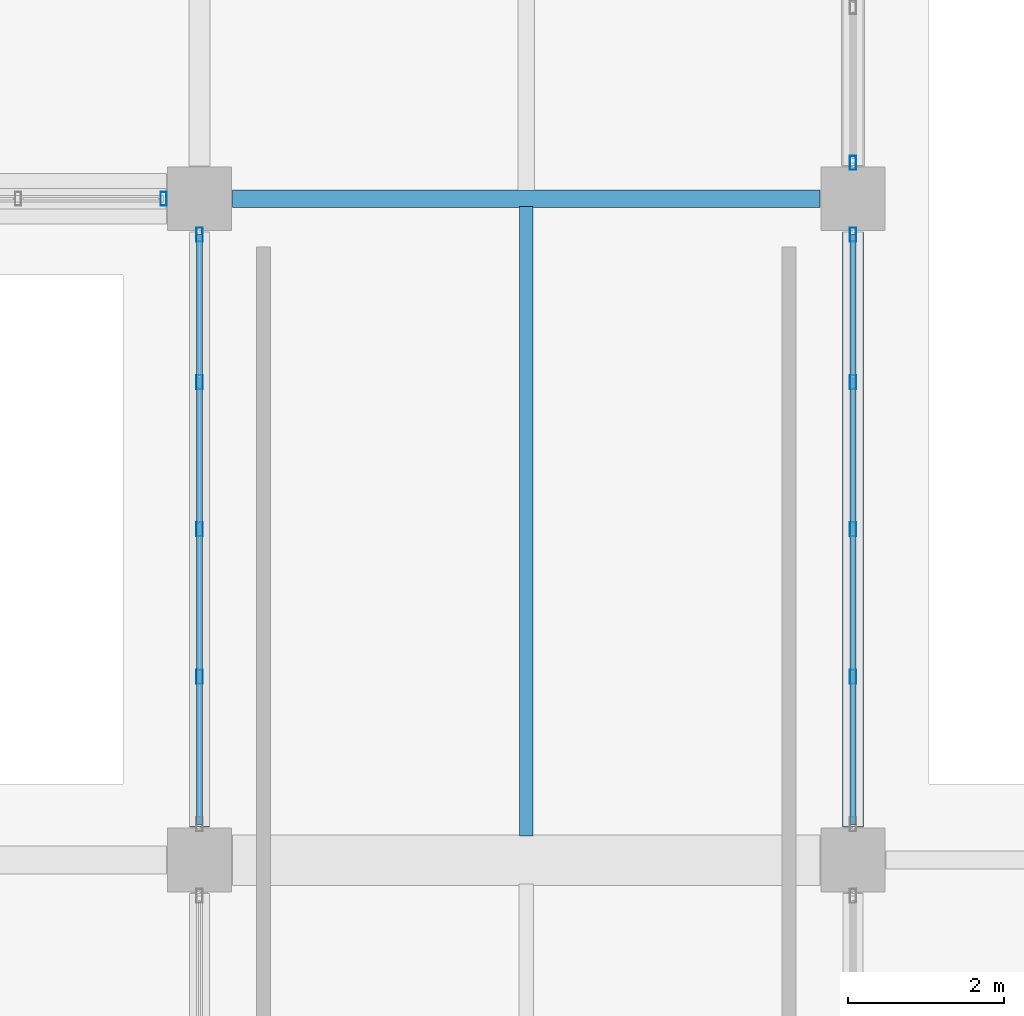
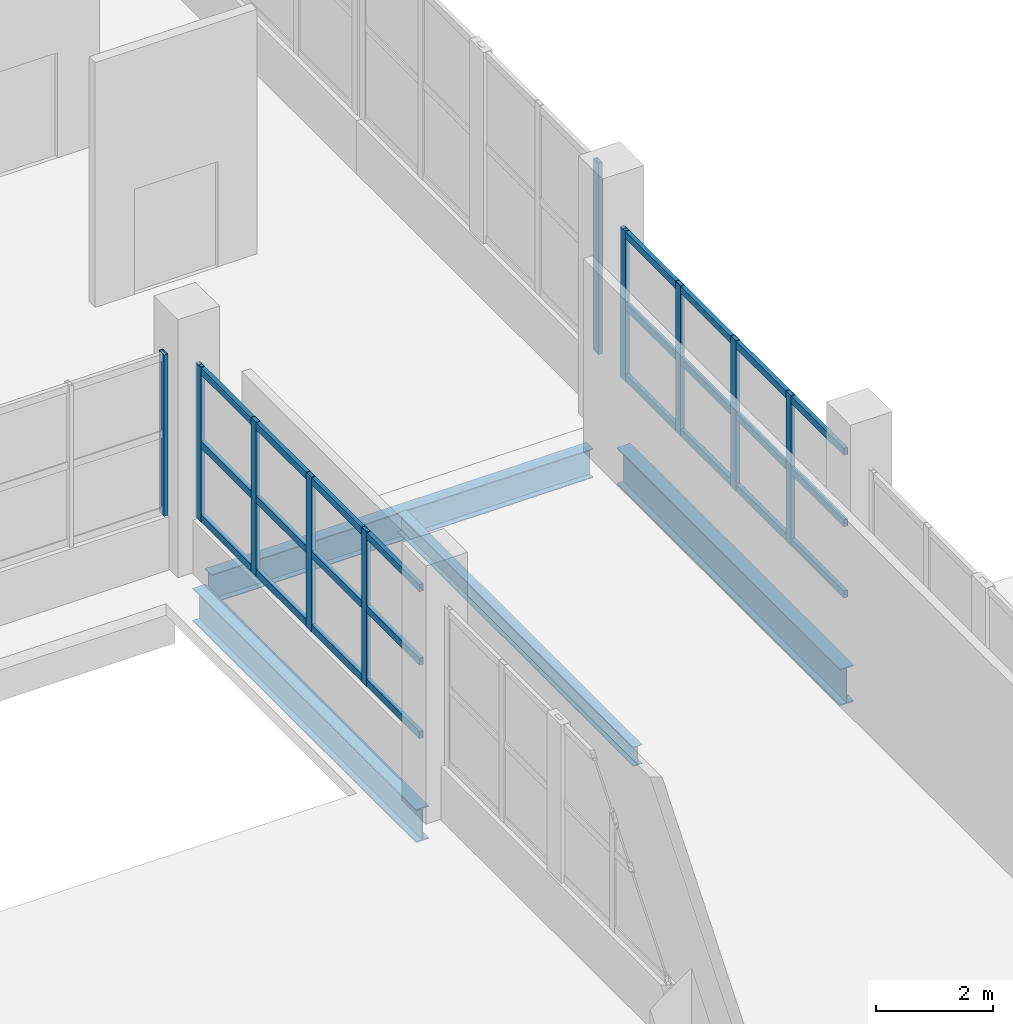
# One storey, part 40 of 107: 16 members, 4 beams, 4 elements without a shape of their own.
"""IFC4 building model written with IfcOpenShell, lengths in metres."""

from ifc_helpers import new_model, si_unit, direction, frame, origin, origin_2d, place, context, subcontext, project, spatial, hollow_rectangle, i_section, extrude, material, material_profile, profile_set, type_object, element, aggregate, save


model = new_model("IFC4")

# Units and contexts
model_context = context("Model", 3, precision=1e-05, world=origin(), true_north=direction((0.0, 1.0)))
body_context = subcontext(model_context, "Body", "Model", "MODEL_VIEW")
ifc_project = project(units=[si_unit("LENGTHUNIT", "METRE"), si_unit("AREAUNIT", "SQUARE_METRE"), si_unit("VOLUMEUNIT", "CUBIC_METRE"), si_unit("PLANEANGLEUNIT", "RADIAN"), si_unit("MASSUNIT", "GRAM", prefix="KILO")], contexts=[model_context])

# Site, building, storey
site_placement = place(None, origin())
site = spatial("IfcSite", under=ifc_project, at=site_placement, CompositionType="ELEMENT")
building_placement = place(site_placement, origin())
building = spatial("IfcBuilding", under=site, at=building_placement, Name="Solvento Point Concert Hall", CompositionType="ELEMENT")
storey_placement = place(building_placement, origin())
storey = spatial("IfcBuildingStorey", under=building, at=storey_placement, Name="L00", CompositionType="ELEMENT", Elevation=0.0)

# Beams
ifc_material_1 = material(Name="Structural Steel ASTM A992 Grade 50", Category="steel")
ifc_material_profile_1 = material_profile(ifc_material_1, i_section(OverallWidth=0.228515625, OverallDepth=0.60791015625, WebThickness=0.01123046875, FlangeThickness=0.017333984375, at=origin_2d()), Name="W24X76")
ifc_profile_set_1 = profile_set([ifc_material_profile_1], Name="Structural Steel ASTM A992 Grade 50")
beam_type_1 = type_object("IfcBeamType", Name="Beam_W24X76", PredefinedType="BEAM", material=ifc_profile_set_1)
beam_1_placement = place(storey_placement, frame((66.424072265625, 119.0, -0.718017578125), z_axis=(1.0, 0.0, 0.0), x_axis=(0.0, 1.0, 0.0)))
element("IfcBeam", 1, at=beam_1_placement, inside=storey, type_object=beam_type_1, Name="Primary girder B-42 L00", PredefinedType="BEAM", context=body_context, shape_type="SweptSolid", body=[
    extrude(i_section(OverallWidth=0.228515625, OverallDepth=0.60791015625, WebThickness=0.01123046875, FlangeThickness=0.017333984375, at=origin_2d()), origin(), (0.0, 0.0, 1.0), 7.552001953125),
])
ifc_material_2 = material(Name="Structural Steel ASTM A992 Grade 50", Category="steel")
ifc_material_profile_2 = material_profile(ifc_material_2, i_section(OverallWidth=0.256103515625, OverallDepth=0.693115234375, WebThickness=0.014404296875, FlangeThickness=0.023681640625, at=origin_2d()), Name="W27X114")
ifc_profile_set_2 = profile_set([ifc_material_profile_2], Name="Structural Steel ASTM A992 Grade 50")
beam_type_2 = type_object("IfcBeamType", Name="Girder_W27X114", PredefinedType="USERDEFINED", material=ifc_profile_set_2)
beam_2_placement = place(storey_placement, frame((66.0, 110.924072265625, -0.650390625), z_axis=(0.0, 1.0, 0.0), x_axis=(-1.0, 0.0, 0.0)))
element("IfcBeam", 2, at=beam_2_placement, inside=storey, type_object=beam_type_2, Name="Primary girder B-23 L00", ObjectType="GIRDER", PredefinedType="USERDEFINED", context=body_context, shape_type="SweptSolid", body=[
    extrude(i_section(OverallWidth=0.256103515625, OverallDepth=0.693115234375, WebThickness=0.014404296875, FlangeThickness=0.023681640625, at=origin_2d()), origin(), (0.0, 0.0, 1.0), 7.65185546875),
])
ifc_material_3 = material(Name="Structural Steel ASTM A992 Grade 50", Category="steel")
ifc_material_profile_3 = material_profile(ifc_material_3, i_section(OverallWidth=0.26806640625, OverallDepth=0.77001953125, WebThickness=0.015625, FlangeThickness=0.025390625, at=origin_2d()), Name="W30X132")
ifc_profile_set_3 = profile_set([ifc_material_profile_3], Name="Structural Steel ASTM A992 Grade 50")
beam_type_3 = type_object("IfcBeamType", Name="Girder_W30X132", PredefinedType="USERDEFINED", material=ifc_profile_set_3)
beam_3_placement = place(storey_placement, frame((74.39990234375, 110.924072265625, -0.68896484375), z_axis=(0.0, 1.0, 0.0), x_axis=(-1.0, 0.0, 0.0)))
element("IfcBeam", 3, at=beam_3_placement, inside=storey, type_object=beam_type_3, Name="Primary girder B-68 L00", ObjectType="GIRDER", PredefinedType="USERDEFINED", context=body_context, shape_type="SweptSolid", body=[
    extrude(i_section(OverallWidth=0.26806640625, OverallDepth=0.77001953125, WebThickness=0.015625, FlangeThickness=0.025390625, at=origin_2d()), origin(), (0.0, 0.0, 1.0), 7.65185546875),
])
ifc_material_4 = material(Name="Structural Steel ASTM A992 Grade 50", Category="steel")
ifc_material_profile_4 = material_profile(ifc_material_4, i_section(OverallWidth=0.177490234375, OverallDepth=0.403076171875, WebThickness=0.007568359375, FlangeThickness=0.010986328125, at=origin_2d()), Name="W16X36")
ifc_profile_set_4 = profile_set([ifc_material_profile_4], Name="Structural Steel ASTM A992 Grade 50")
beam_type_4 = type_object("IfcBeamType", Name="Joist_W16X36", PredefinedType="JOIST", material=ifc_profile_set_4)
beam_4_placement = place(storey_placement, frame((70.199951171875, 110.81005859375, -0.615478515625), z_axis=(0.0, 1.0, 0.0), x_axis=(-1.0, 0.0, 0.0)))
element("IfcBeam", 4, at=beam_4_placement, inside=storey, type_object=beam_type_4, Name="Secondary floor joist B-30 L00", PredefinedType="JOIST", context=body_context, shape_type="SweptSolid", body=[
    extrude(i_section(OverallWidth=0.177490234375, OverallDepth=0.403076171875, WebThickness=0.007568359375, FlangeThickness=0.010986328125, at=origin_2d()), origin(), (0.0, 0.0, 1.0), 8.0908203125),
])

# Curtain wall, members
ifc_material_5 = material(Name="Anodized Bronze Aluminium", Category="aluminium")
curtain_wall_type = type_object("IfcCurtainWallType", Name="CurtainWall_CourtPilotis", PredefinedType="USERDEFINED", material=ifc_material_5)
curtain_wall_1_placement = place(storey_placement, origin())
curtain_wall_1 = element("IfcCurtainWall", 5, at=curtain_wall_1_placement, inside=storey, type_object=curtain_wall_type, Name="Unitised curtain wall CW-96 UCW-L00-021", ObjectType="UNITISED CURTAIN WALL", PredefinedType="USERDEFINED")
ifc_material_6 = material(Name="Anodized Bronze Aluminium", Category="aluminium")
ifc_material_profile_5 = material_profile(ifc_material_6, hollow_rectangle(XDim=0.080078125, YDim=0.179931640625, WallThickness=0.00390625, at=origin_2d()), Name="CW-MUL-80X180")
ifc_profile_set_5 = profile_set([ifc_material_profile_5], Name="Anodized Bronze Aluminium")
member_type_1 = type_object("IfcMemberType", Name="Mullion_80x180", PredefinedType="MULLION", material=ifc_profile_set_5)
member_1_placement = place(storey_placement, frame((66.0, 112.85498046875, 1.1201171875), z_axis=(0.0, 0.0, 1.0), x_axis=(1.0, 0.0, 0.0)))
member_1 = element("IfcMember", 6, at=member_1_placement, type_object=member_type_1, Name="Curtain wall mullion ML-01", PredefinedType="MULLION", context=body_context, shape_type="SweptSolid", body=[
    extrude(hollow_rectangle(XDim=0.080078125, YDim=0.179931640625, WallThickness=0.00390625, at=origin_2d()), origin(), (0.0, 0.0, 1.0), 3.23388671875),
])
member_2_placement = place(storey_placement, frame((66.0, 114.75, 1.1201171875), z_axis=(0.0, 0.0, 1.0), x_axis=(1.0, 0.0, 0.0)))
member_2 = element("IfcMember", 7, at=member_2_placement, type_object=member_type_1, Name="Curtain wall mullion ML-01", PredefinedType="MULLION", context=body_context, shape_type="SweptSolid", body=[
    extrude(hollow_rectangle(XDim=0.080078125, YDim=0.179931640625, WallThickness=0.00390625, at=origin_2d()), origin(), (0.0, 0.0, 1.0), 3.23388671875),
])
member_3_placement = place(storey_placement, frame((66.0, 116.64501953125, 1.1201171875), z_axis=(0.0, 0.0, 1.0), x_axis=(1.0, 0.0, 0.0)))
member_3 = element("IfcMember", 8, at=member_3_placement, type_object=member_type_1, Name="Curtain wall mullion ML-01", PredefinedType="MULLION", context=body_context, shape_type="SweptSolid", body=[
    extrude(hollow_rectangle(XDim=0.080078125, YDim=0.179931640625, WallThickness=0.00390625, at=origin_2d()), origin(), (0.0, 0.0, 1.0), 3.23388671875),
])
member_4_placement = place(storey_placement, frame((66.0, 118.5400390625, 1.1201171875), z_axis=(0.0, 0.0, 1.0), x_axis=(1.0, 0.0, 0.0)))
member_4 = element("IfcMember", 9, at=member_4_placement, type_object=member_type_1, Name="Curtain wall mullion ML-01", PredefinedType="MULLION", context=body_context, shape_type="SweptSolid", body=[
    extrude(hollow_rectangle(XDim=0.080078125, YDim=0.179931640625, WallThickness=0.00390625, at=origin_2d()), origin(), (0.0, 0.0, 1.0), 3.23388671875),
])

# Curtain wall, member
curtain_wall_2_placement = place(storey_placement, origin())
curtain_wall_2 = element("IfcCurtainWall", 10, at=curtain_wall_2_placement, inside=storey, type_object=curtain_wall_type, Name="Unitised curtain wall CW-96 UCW-L00-026", ObjectType="UNITISED CURTAIN WALL", PredefinedType="USERDEFINED")
member_5_placement = place(storey_placement, frame((65.5400390625, 119.0, 1.1201171875), z_axis=(0.0, 0.0, 1.0), x_axis=(1.0, 0.0, 0.0)))
member_5 = element("IfcMember", 11, at=member_5_placement, type_object=member_type_1, Name="Curtain wall mullion ML-01", PredefinedType="MULLION", context=body_context, shape_type="SweptSolid", body=[
    extrude(hollow_rectangle(XDim=0.080078125, YDim=0.179931640625, WallThickness=0.00390625, at=origin_2d()), origin(), (0.0, 0.0, 1.0), 3.3759765625),
])
aggregate(curtain_wall_2, [member_5])

curtain_wall_3_placement = place(storey_placement, origin())
curtain_wall_3 = element("IfcCurtainWall", 12, at=curtain_wall_3_placement, inside=storey, type_object=curtain_wall_type, Name="Unitised curtain wall CW-96 UCW-L00-032", ObjectType="UNITISED CURTAIN WALL", PredefinedType="USERDEFINED")
member_6_placement = place(storey_placement, frame((74.39990234375, 119.4599609375, 1.1201171875), z_axis=(0.0, 0.0, 1.0), x_axis=(1.0, 0.0, 0.0)))
member_6 = element("IfcMember", 13, at=member_6_placement, type_object=member_type_1, Name="Curtain wall mullion ML-01", PredefinedType="MULLION", context=body_context, shape_type="SweptSolid", body=[
    extrude(hollow_rectangle(XDim=0.080078125, YDim=0.179931640625, WallThickness=0.00390625, at=origin_2d()), origin(), (0.0, 0.0, 1.0), 4.0),
])
aggregate(curtain_wall_3, [member_6])

# Curtain wall, members
curtain_wall_4_placement = place(storey_placement, origin())
curtain_wall_4 = element("IfcCurtainWall", 14, at=curtain_wall_4_placement, inside=storey, type_object=curtain_wall_type, Name="Unitised curtain wall CW-96 UCW-L00-035", ObjectType="UNITISED CURTAIN WALL", PredefinedType="USERDEFINED")
member_7_placement = place(storey_placement, frame((74.39990234375, 112.85498046875, 1.1201171875), z_axis=(0.0, 0.0, 1.0), x_axis=(1.0, 0.0, 0.0)))
member_7 = element("IfcMember", 15, at=member_7_placement, type_object=member_type_1, Name="Curtain wall mullion ML-01", PredefinedType="MULLION", context=body_context, shape_type="SweptSolid", body=[
    extrude(hollow_rectangle(XDim=0.080078125, YDim=0.179931640625, WallThickness=0.00390625, at=origin_2d()), origin(), (0.0, 0.0, 1.0), 3.144775390625),
])
member_8_placement = place(storey_placement, frame((74.39990234375, 114.75, 1.1201171875), z_axis=(0.0, 0.0, 1.0), x_axis=(1.0, 0.0, 0.0)))
member_8 = element("IfcMember", 16, at=member_8_placement, type_object=member_type_1, Name="Curtain wall mullion ML-01", PredefinedType="MULLION", context=body_context, shape_type="SweptSolid", body=[
    extrude(hollow_rectangle(XDim=0.080078125, YDim=0.179931640625, WallThickness=0.00390625, at=origin_2d()), origin(), (0.0, 0.0, 1.0), 3.144775390625),
])
member_9_placement = place(storey_placement, frame((74.39990234375, 116.64501953125, 1.1201171875), z_axis=(0.0, 0.0, 1.0), x_axis=(1.0, 0.0, 0.0)))
member_9 = element("IfcMember", 17, at=member_9_placement, type_object=member_type_1, Name="Curtain wall mullion ML-01", PredefinedType="MULLION", context=body_context, shape_type="SweptSolid", body=[
    extrude(hollow_rectangle(XDim=0.080078125, YDim=0.179931640625, WallThickness=0.00390625, at=origin_2d()), origin(), (0.0, 0.0, 1.0), 3.144775390625),
])
member_10_placement = place(storey_placement, frame((74.39990234375, 118.5400390625, 1.1201171875), z_axis=(0.0, 0.0, 1.0), x_axis=(1.0, 0.0, 0.0)))
member_10 = element("IfcMember", 18, at=member_10_placement, type_object=member_type_1, Name="Curtain wall mullion ML-01", PredefinedType="MULLION", context=body_context, shape_type="SweptSolid", body=[
    extrude(hollow_rectangle(XDim=0.080078125, YDim=0.179931640625, WallThickness=0.00390625, at=origin_2d()), origin(), (0.0, 0.0, 1.0), 3.144775390625),
])

# Member
ifc_material_7 = material(Name="Anodized Bronze Aluminium", Category="aluminium")
ifc_material_profile_6 = material_profile(ifc_material_7, hollow_rectangle(XDim=0.080078125, YDim=0.14990234375, WallThickness=0.00390625, at=origin_2d()), Name="CW-TRN-80X150")
ifc_profile_set_6 = profile_set([ifc_material_profile_6], Name="Anodized Bronze Aluminium")
member_type_2 = type_object("IfcMemberType", Name="Transom_80x150", PredefinedType="USERDEFINED", material=ifc_profile_set_6)
member_11_placement = place(storey_placement, frame((66.0, 110.9599609375, 1.199951171875), z_axis=(0.0, 1.0, 0.0), x_axis=(-1.0, 0.0, 0.0)))
member_11 = element("IfcMember", 19, at=member_11_placement, type_object=member_type_2, Name="Curtain wall transom TR-01", ObjectType="TRANSOM", PredefinedType="USERDEFINED", context=body_context, shape_type="SweptSolid", body=[
    extrude(hollow_rectangle(XDim=0.080078125, YDim=0.14990234375, WallThickness=0.00390625, at=origin_2d()), origin(), (0.0, 0.0, 1.0), 7.580078125),
])

member_12_placement = place(storey_placement, frame((66.0, 110.9599609375, 2.737060546875), z_axis=(0.0, 1.0, 0.0), x_axis=(-1.0, 0.0, 0.0)))
member_12 = element("IfcMember", 20, at=member_12_placement, type_object=member_type_2, Name="Curtain wall transom TR-01", ObjectType="TRANSOM", PredefinedType="USERDEFINED", context=body_context, shape_type="SweptSolid", body=[
    extrude(hollow_rectangle(XDim=0.080078125, YDim=0.14990234375, WallThickness=0.00390625, at=origin_2d()), origin(), (0.0, 0.0, 1.0), 7.580078125),
])

member_13_placement = place(storey_placement, frame((66.0, 110.9599609375, 4.27392578125), z_axis=(0.0, 1.0, 0.0), x_axis=(-1.0, 0.0, 0.0)))
member_13 = element("IfcMember", 21, at=member_13_placement, type_object=member_type_2, Name="Curtain wall transom TR-01", ObjectType="TRANSOM", PredefinedType="USERDEFINED", context=body_context, shape_type="SweptSolid", body=[
    extrude(hollow_rectangle(XDim=0.080078125, YDim=0.14990234375, WallThickness=0.00390625, at=origin_2d()), origin(), (0.0, 0.0, 1.0), 7.580078125),
])

aggregate(curtain_wall_1, [member_1, member_2, member_3, member_4, member_11, member_12, member_13])

member_14_placement = place(storey_placement, frame((74.39990234375, 110.9599609375, 1.199951171875), z_axis=(0.0, 1.0, 0.0), x_axis=(-1.0, 0.0, 0.0)))
member_14 = element("IfcMember", 22, at=member_14_placement, type_object=member_type_2, Name="Curtain wall transom TR-01", ObjectType="TRANSOM", PredefinedType="USERDEFINED", context=body_context, shape_type="SweptSolid", body=[
    extrude(hollow_rectangle(XDim=0.080078125, YDim=0.14990234375, WallThickness=0.00390625, at=origin_2d()), origin(), (0.0, 0.0, 1.0), 7.580078125),
])

member_15_placement = place(storey_placement, frame((74.39990234375, 110.9599609375, 2.6923828125), z_axis=(0.0, 1.0, 0.0), x_axis=(-1.0, 0.0, 0.0)))
member_15 = element("IfcMember", 23, at=member_15_placement, type_object=member_type_2, Name="Curtain wall transom TR-01", ObjectType="TRANSOM", PredefinedType="USERDEFINED", context=body_context, shape_type="SweptSolid", body=[
    extrude(hollow_rectangle(XDim=0.080078125, YDim=0.14990234375, WallThickness=0.00390625, at=origin_2d()), origin(), (0.0, 0.0, 1.0), 7.580078125),
])

member_16_placement = place(storey_placement, frame((74.39990234375, 110.9599609375, 4.18505859375), z_axis=(0.0, 1.0, 0.0), x_axis=(-1.0, 0.0, 0.0)))
member_16 = element("IfcMember", 24, at=member_16_placement, type_object=member_type_2, Name="Curtain wall transom TR-01", ObjectType="TRANSOM", PredefinedType="USERDEFINED", context=body_context, shape_type="SweptSolid", body=[
    extrude(hollow_rectangle(XDim=0.080078125, YDim=0.14990234375, WallThickness=0.00390625, at=origin_2d()), origin(), (0.0, 0.0, 1.0), 7.580078125),
])

aggregate(curtain_wall_4, [member_7, member_8, member_9, member_10, member_14, member_15, member_16])

save(model, "model.ifc")
